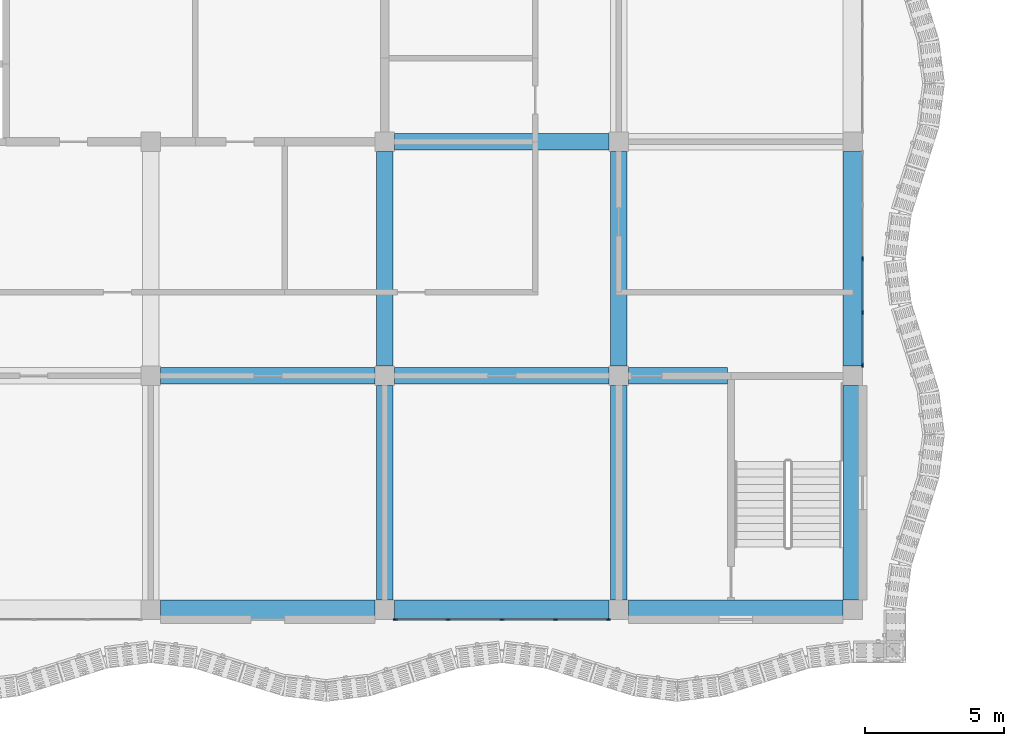
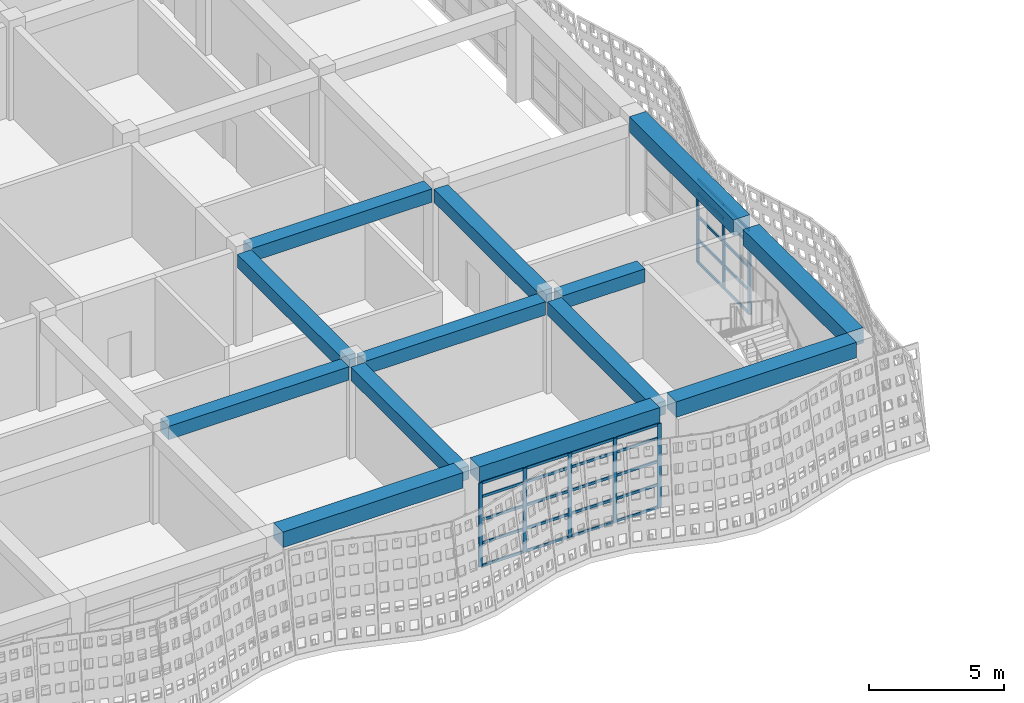
# One storey, part 19 of 162: 38 members, 13 beams, 2 elements without a shape of their own.
"""IFC4 building model written with IfcOpenShell, lengths in metres."""

from ifc_helpers import new_model, si_unit, direction, frame, origin, origin_2d, place, context, subcontext, project, spatial, rectangle, extrude, material, material_profile, profile_set, type_object, element, aggregate, save


model = new_model("IFC4")

# Units and contexts
model_context = context("Model", 3, precision=1e-05, world=origin(), true_north=direction((0.0, 1.0)))
body_context = subcontext(model_context, "Body", "Model", "MODEL_VIEW")
ifc_project = project(units=[si_unit("LENGTHUNIT", "METRE"), si_unit("AREAUNIT", "SQUARE_METRE"), si_unit("VOLUMEUNIT", "CUBIC_METRE"), si_unit("PLANEANGLEUNIT", "RADIAN"), si_unit("MASSUNIT", "GRAM", prefix="KILO")], contexts=[model_context])

# Site, building, storey
site_placement = place(None, origin())
site = spatial("IfcSite", under=ifc_project, at=site_placement, CompositionType="ELEMENT")
building_placement = place(site_placement, origin())
building = spatial("IfcBuilding", under=site, at=building_placement, Name="Rain Tree Exposition and Congress Centre", CompositionType="ELEMENT")
storey_placement = place(building_placement, frame((0.0, 0.0, 6.0)))
storey = spatial("IfcBuildingStorey", under=building, at=storey_placement, Name="L01", CompositionType="ELEMENT", Elevation=6.0)

# Beams
ifc_material_1 = material(Name="Precast concrete C50/60", Category="concrete")
ifc_material_profile_1 = material_profile(ifc_material_1, rectangle(XDim=0.60009765625, YDim=0.60009765625, at=origin_2d()), Name="RC 600x600")
ifc_profile_set_1 = profile_set([ifc_material_profile_1], Name="Precast concrete C50/60")
beam_type_1 = type_object("IfcBeamType", Name="Precast beam 600x600", PredefinedType="BEAM", material=ifc_profile_set_1)
for number, where, z_axis, x_axis, name in (
    (1, (25.550048828125, 8.39990234375, 3.85009765625), (1.0, 0.0, 0.0), (0.0, 1.0, 0.0), "wing/beam/L01/L02/019"),
    (2, (33.949951171875, 8.39990234375, 3.85009765625), (1.0, 0.0, 0.0), (0.0, 1.0, 0.0), "wing/beam/L01/L02/021"),
):
    element("IfcBeam", number, at=place(storey_placement, frame(where, z_axis=z_axis, x_axis=x_axis)), inside=storey, type_object=beam_type_1, Name=name, PredefinedType="BEAM", context=body_context, shape_type="SweptSolid", body=[
        extrude(rectangle(XDim=0.60009765625, YDim=0.60009765625, at=origin_2d()), origin(), (0.0, 0.0, 1.0), 7.699951171875),
    ])
beam_placement = place(storey_placement, frame((42.35009765625, 8.39990234375, 3.85009765625), z_axis=(1.0, 0.0, 0.0), x_axis=(0.0, 1.0, 0.0)))
element("IfcBeam", 3, at=beam_placement, inside=storey, type_object=beam_type_1, Name="wing/beam/L01/L02/023", PredefinedType="BEAM", context=body_context, shape_type="SweptSolid", body=[
    extrude(rectangle(XDim=0.60009765625, YDim=0.60009765625, at=origin_2d()), origin(), (0.0, 0.0, 1.0), 3.5498046875),
])
for number, where, z_axis, x_axis, name in (
    (4, (33.949951171875, 16.800048828125, 3.85009765625), (1.0, 0.0, 0.0), (0.0, 1.0, 0.0), "wing/beam/L01/L02/029"),
    (5, (33.60009765625, 0.35009765625, 3.85009765625), (0.0, 1.0, 0.0), (-1.0, 0.0, 0.0), "wing/beam/L01/L02/042"),
    (6, (33.60009765625, 8.75, 3.85009765625), (0.0, 1.0, 0.0), (-1.0, 0.0, 0.0), "wing/beam/L01/L02/044"),
    (7, (42.0, 0.35009765625, 3.85009765625), (0.0, 1.0, 0.0), (-1.0, 0.0, 0.0), "wing/beam/L01/L02/050"),
    (8, (42.0, 8.75, 3.85009765625), (0.0, 1.0, 0.0), (-1.0, 0.0, 0.0), "wing/beam/L01/L02/052"),
):
    element("IfcBeam", number, at=place(storey_placement, frame(where, z_axis=z_axis, x_axis=x_axis)), inside=storey, type_object=beam_type_1, Name=name, PredefinedType="BEAM", context=body_context, shape_type="SweptSolid", body=[
        extrude(rectangle(XDim=0.60009765625, YDim=0.60009765625, at=origin_2d()), origin(), (0.0, 0.0, 1.0), 7.699951171875),
    ])
ifc_material_2 = material(Name="Precast concrete C50/60", Category="concrete")
ifc_material_profile_2 = material_profile(ifc_material_2, rectangle(XDim=0.699951171875, YDim=0.699951171875, at=origin_2d()), Name="RC 700x700")
ifc_profile_set_2 = profile_set([ifc_material_profile_2], Name="Precast concrete C50/60")
beam_type_2 = type_object("IfcBeamType", Name="Precast spandrel beam 700x700", PredefinedType="SPANDREL", material=ifc_profile_set_2)
for number, where, z_axis, x_axis, name in (
    (9, (25.550048828125, 0.0, 4.14990234375), (1.0, 0.0, 0.0), (0.0, 1.0, 0.0), "wing/beam/L01/L02/007"),
    (10, (33.949951171875, 0.0, 4.14990234375), (1.0, 0.0, 0.0), (0.0, 1.0, 0.0), "wing/beam/L01/L02/009"),
    (11, (42.35009765625, 0.0, 4.14990234375), (1.0, 0.0, 0.0), (0.0, 1.0, 0.0), "wing/beam/L01/L02/011"),
    (12, (50.39990234375, 0.35009765625, 4.14990234375), (0.0, 1.0, 0.0), (-1.0, 0.0, 0.0), "wing/beam/L01/L02/062"),
    (13, (50.39990234375, 8.75, 4.14990234375), (0.0, 1.0, 0.0), (-1.0, 0.0, 0.0), "wing/beam/L01/L02/064"),
):
    element("IfcBeam", number, at=place(storey_placement, frame(where, z_axis=z_axis, x_axis=x_axis)), inside=storey, type_object=beam_type_2, Name=name, PredefinedType="SPANDREL", context=body_context, shape_type="SweptSolid", body=[
        extrude(rectangle(XDim=0.699951171875, YDim=0.699951171875, at=origin_2d()), origin(), (0.0, 0.0, 1.0), 7.699951171875),
    ])

# Curtain wall, members
ifc_material_3 = material(Name="Aluminium curtain wall", Category="aluminium")
curtain_wall_type = type_object("IfcCurtainWallType", Name="Wing curtain wall 1925", PredefinedType="NOTDEFINED", material=ifc_material_3)
curtain_wall_1_placement = place(storey_placement, origin())
curtain_wall_1 = element("IfcCurtainWall", 14, at=curtain_wall_1_placement, inside=storey, type_object=curtain_wall_type, Name="Curtain wall CWW203", PredefinedType="NOTDEFINED")
ifc_material_4 = material(Name="Aluminium", Category="aluminium")
ifc_material_profile_3 = material_profile(ifc_material_4, rectangle(XDim=0.06005859375, YDim=0.159912109375, at=origin_2d()), Name="Aluminium 60x160")
ifc_profile_set_3 = profile_set([ifc_material_profile_3], Name="Aluminium")
member_type_1 = type_object("IfcMemberType", Name="Wing mullion 60x160", PredefinedType="MULLION", material=ifc_profile_set_3)
member_1_placement = place(storey_placement, frame((33.97998046875, -0.35009765625, 0.0), z_axis=(0.0, 0.0, 1.0), x_axis=(0.0, 1.0, 0.0)))
member_1 = element("IfcMember", 15, at=member_1_placement, type_object=member_type_1, Name="CWW203 mullion 1", PredefinedType="MULLION", context=body_context, shape_type="SweptSolid", body=[
    extrude(rectangle(XDim=0.06005859375, YDim=0.159912109375, at=origin_2d()), origin(), (0.0, 0.0, 1.0), 3.800048828125),
])
member_2_placement = place(storey_placement, frame((35.875, -0.35009765625, 0.0), z_axis=(0.0, 0.0, 1.0), x_axis=(0.0, 1.0, 0.0)))
member_2 = element("IfcMember", 16, at=member_2_placement, type_object=member_type_1, Name="CWW203 mullion 2", PredefinedType="MULLION", context=body_context, shape_type="SweptSolid", body=[
    extrude(rectangle(XDim=0.06005859375, YDim=0.159912109375, at=origin_2d()), origin(), (0.0, 0.0, 1.0), 3.800048828125),
])
member_3_placement = place(storey_placement, frame((37.800048828125, -0.35009765625, 0.0), z_axis=(0.0, 0.0, 1.0), x_axis=(0.0, 1.0, 0.0)))
member_3 = element("IfcMember", 17, at=member_3_placement, type_object=member_type_1, Name="CWW203 mullion 3", PredefinedType="MULLION", context=body_context, shape_type="SweptSolid", body=[
    extrude(rectangle(XDim=0.06005859375, YDim=0.159912109375, at=origin_2d()), origin(), (0.0, 0.0, 1.0), 3.800048828125),
])
member_4_placement = place(storey_placement, frame((39.72509765625, -0.35009765625, 0.0), z_axis=(0.0, 0.0, 1.0), x_axis=(0.0, 1.0, 0.0)))
member_4 = element("IfcMember", 18, at=member_4_placement, type_object=member_type_1, Name="CWW203 mullion 4", PredefinedType="MULLION", context=body_context, shape_type="SweptSolid", body=[
    extrude(rectangle(XDim=0.06005859375, YDim=0.159912109375, at=origin_2d()), origin(), (0.0, 0.0, 1.0), 3.800048828125),
])
member_5_placement = place(storey_placement, frame((41.6201171875, -0.35009765625, 0.0), z_axis=(0.0, 0.0, 1.0), x_axis=(0.0, 1.0, 0.0)))
member_5 = element("IfcMember", 19, at=member_5_placement, type_object=member_type_1, Name="CWW203 mullion 5", PredefinedType="MULLION", context=body_context, shape_type="SweptSolid", body=[
    extrude(rectangle(XDim=0.06005859375, YDim=0.159912109375, at=origin_2d()), origin(), (0.0, 0.0, 1.0), 3.800048828125),
])

curtain_wall_2_placement = place(storey_placement, origin())
curtain_wall_2 = element("IfcCurtainWall", 20, at=curtain_wall_2_placement, inside=storey, type_object=curtain_wall_type, Name="Curtain wall CWW212", PredefinedType="NOTDEFINED")
member_6_placement = place(storey_placement, frame((50.75, 8.780029296875, 0.0), z_axis=(0.0, 0.0, 1.0), x_axis=(-1.0, 0.0, 0.0)))
member_6 = element("IfcMember", 21, at=member_6_placement, type_object=member_type_1, Name="CWW212 mullion 1", PredefinedType="MULLION", context=body_context, shape_type="SweptSolid", body=[
    extrude(rectangle(XDim=0.06005859375, YDim=0.159912109375, at=origin_2d()), origin(), (0.0, 0.0, 1.0), 3.800048828125),
])
member_7_placement = place(storey_placement, frame((50.75, 10.675048828125, 0.0), z_axis=(0.0, 0.0, 1.0), x_axis=(-1.0, 0.0, 0.0)))
member_7 = element("IfcMember", 22, at=member_7_placement, type_object=member_type_1, Name="CWW212 mullion 2", PredefinedType="MULLION", context=body_context, shape_type="SweptSolid", body=[
    extrude(rectangle(XDim=0.06005859375, YDim=0.159912109375, at=origin_2d()), origin(), (0.0, 0.0, 1.0), 3.800048828125),
])
member_8_placement = place(storey_placement, frame((50.75, 12.60009765625, 0.0), z_axis=(0.0, 0.0, 1.0), x_axis=(-1.0, 0.0, 0.0)))
member_8 = element("IfcMember", 23, at=member_8_placement, type_object=member_type_1, Name="CWW212 mullion 3", PredefinedType="MULLION", context=body_context, shape_type="SweptSolid", body=[
    extrude(rectangle(XDim=0.06005859375, YDim=0.159912109375, at=origin_2d()), origin(), (0.0, 0.0, 1.0), 3.800048828125),
])

# Member
ifc_material_5 = material(Name="Aluminium", Category="aluminium")
ifc_material_profile_4 = material_profile(ifc_material_5, rectangle(XDim=0.06005859375, YDim=0.1201171875, at=origin_2d()), Name="Aluminium 60x120")
ifc_profile_set_4 = profile_set([ifc_material_profile_4], Name="Aluminium")
member_type_2 = type_object("IfcMemberType", Name="Wing transom 60x120", PredefinedType="USERDEFINED", material=ifc_profile_set_4)
member_9_placement = place(storey_placement, frame((34.010009765625, -0.35009765625, 0.030029296875), z_axis=(1.0, 0.0, 0.0), x_axis=(0.0, 1.0, 0.0)))
member_9 = element("IfcMember", 24, at=member_9_placement, type_object=member_type_2, Name="CWW203 transom 1.1", ObjectType="TRANSOM", PredefinedType="USERDEFINED", context=body_context, shape_type="SweptSolid", body=[
    extrude(rectangle(XDim=0.06005859375, YDim=0.1201171875, at=origin_2d()), origin(), (0.0, 0.0, 1.0), 1.8349609375),
])

member_10_placement = place(storey_placement, frame((34.010009765625, -0.35009765625, 1.050048828125), z_axis=(1.0, 0.0, 0.0), x_axis=(0.0, 1.0, 0.0)))
member_10 = element("IfcMember", 25, at=member_10_placement, type_object=member_type_2, Name="CWW203 transom 1.2", ObjectType="TRANSOM", PredefinedType="USERDEFINED", context=body_context, shape_type="SweptSolid", body=[
    extrude(rectangle(XDim=0.06005859375, YDim=0.1201171875, at=origin_2d()), origin(), (0.0, 0.0, 1.0), 1.8349609375),
])

member_11_placement = place(storey_placement, frame((34.010009765625, -0.35009765625, 2.10009765625), z_axis=(1.0, 0.0, 0.0), x_axis=(0.0, 1.0, 0.0)))
member_11 = element("IfcMember", 26, at=member_11_placement, type_object=member_type_2, Name="CWW203 transom 1.3", ObjectType="TRANSOM", PredefinedType="USERDEFINED", context=body_context, shape_type="SweptSolid", body=[
    extrude(rectangle(XDim=0.06005859375, YDim=0.1201171875, at=origin_2d()), origin(), (0.0, 0.0, 1.0), 1.8349609375),
])

member_12_placement = place(storey_placement, frame((34.010009765625, -0.35009765625, 3.14990234375), z_axis=(1.0, 0.0, 0.0), x_axis=(0.0, 1.0, 0.0)))
member_12 = element("IfcMember", 27, at=member_12_placement, type_object=member_type_2, Name="CWW203 transom 1.4", ObjectType="TRANSOM", PredefinedType="USERDEFINED", context=body_context, shape_type="SweptSolid", body=[
    extrude(rectangle(XDim=0.06005859375, YDim=0.1201171875, at=origin_2d()), origin(), (0.0, 0.0, 1.0), 1.8349609375),
])

member_13_placement = place(storey_placement, frame((34.010009765625, -0.35009765625, 3.77001953125), z_axis=(1.0, 0.0, 0.0), x_axis=(0.0, 1.0, 0.0)))
member_13 = element("IfcMember", 28, at=member_13_placement, type_object=member_type_2, Name="CWW203 transom 1.5", ObjectType="TRANSOM", PredefinedType="USERDEFINED", context=body_context, shape_type="SweptSolid", body=[
    extrude(rectangle(XDim=0.06005859375, YDim=0.1201171875, at=origin_2d()), origin(), (0.0, 0.0, 1.0), 1.8349609375),
])

member_14_placement = place(storey_placement, frame((35.905029296875, -0.35009765625, 0.030029296875), z_axis=(1.0, 0.0, 0.0), x_axis=(0.0, 1.0, 0.0)))
member_14 = element("IfcMember", 29, at=member_14_placement, type_object=member_type_2, Name="CWW203 transom 2.1", ObjectType="TRANSOM", PredefinedType="USERDEFINED", context=body_context, shape_type="SweptSolid", body=[
    extrude(rectangle(XDim=0.06005859375, YDim=0.1201171875, at=origin_2d()), origin(), (0.0, 0.0, 1.0), 1.864990234375),
])

member_15_placement = place(storey_placement, frame((35.905029296875, -0.35009765625, 1.050048828125), z_axis=(1.0, 0.0, 0.0), x_axis=(0.0, 1.0, 0.0)))
member_15 = element("IfcMember", 30, at=member_15_placement, type_object=member_type_2, Name="CWW203 transom 2.2", ObjectType="TRANSOM", PredefinedType="USERDEFINED", context=body_context, shape_type="SweptSolid", body=[
    extrude(rectangle(XDim=0.06005859375, YDim=0.1201171875, at=origin_2d()), origin(), (0.0, 0.0, 1.0), 1.864990234375),
])

member_16_placement = place(storey_placement, frame((35.905029296875, -0.35009765625, 2.10009765625), z_axis=(1.0, 0.0, 0.0), x_axis=(0.0, 1.0, 0.0)))
member_16 = element("IfcMember", 31, at=member_16_placement, type_object=member_type_2, Name="CWW203 transom 2.3", ObjectType="TRANSOM", PredefinedType="USERDEFINED", context=body_context, shape_type="SweptSolid", body=[
    extrude(rectangle(XDim=0.06005859375, YDim=0.1201171875, at=origin_2d()), origin(), (0.0, 0.0, 1.0), 1.864990234375),
])

member_17_placement = place(storey_placement, frame((35.905029296875, -0.35009765625, 3.14990234375), z_axis=(1.0, 0.0, 0.0), x_axis=(0.0, 1.0, 0.0)))
member_17 = element("IfcMember", 32, at=member_17_placement, type_object=member_type_2, Name="CWW203 transom 2.4", ObjectType="TRANSOM", PredefinedType="USERDEFINED", context=body_context, shape_type="SweptSolid", body=[
    extrude(rectangle(XDim=0.06005859375, YDim=0.1201171875, at=origin_2d()), origin(), (0.0, 0.0, 1.0), 1.864990234375),
])

member_18_placement = place(storey_placement, frame((35.905029296875, -0.35009765625, 3.77001953125), z_axis=(1.0, 0.0, 0.0), x_axis=(0.0, 1.0, 0.0)))
member_18 = element("IfcMember", 33, at=member_18_placement, type_object=member_type_2, Name="CWW203 transom 2.5", ObjectType="TRANSOM", PredefinedType="USERDEFINED", context=body_context, shape_type="SweptSolid", body=[
    extrude(rectangle(XDim=0.06005859375, YDim=0.1201171875, at=origin_2d()), origin(), (0.0, 0.0, 1.0), 1.864990234375),
])

member_19_placement = place(storey_placement, frame((37.830078125, -0.35009765625, 0.030029296875), z_axis=(1.0, 0.0, 0.0), x_axis=(0.0, 1.0, 0.0)))
member_19 = element("IfcMember", 34, at=member_19_placement, type_object=member_type_2, Name="CWW203 transom 3.1", ObjectType="TRANSOM", PredefinedType="USERDEFINED", context=body_context, shape_type="SweptSolid", body=[
    extrude(rectangle(XDim=0.06005859375, YDim=0.1201171875, at=origin_2d()), origin(), (0.0, 0.0, 1.0), 1.864990234375),
])

member_20_placement = place(storey_placement, frame((37.830078125, -0.35009765625, 1.050048828125), z_axis=(1.0, 0.0, 0.0), x_axis=(0.0, 1.0, 0.0)))
member_20 = element("IfcMember", 35, at=member_20_placement, type_object=member_type_2, Name="CWW203 transom 3.2", ObjectType="TRANSOM", PredefinedType="USERDEFINED", context=body_context, shape_type="SweptSolid", body=[
    extrude(rectangle(XDim=0.06005859375, YDim=0.1201171875, at=origin_2d()), origin(), (0.0, 0.0, 1.0), 1.864990234375),
])

member_21_placement = place(storey_placement, frame((37.830078125, -0.35009765625, 2.10009765625), z_axis=(1.0, 0.0, 0.0), x_axis=(0.0, 1.0, 0.0)))
member_21 = element("IfcMember", 36, at=member_21_placement, type_object=member_type_2, Name="CWW203 transom 3.3", ObjectType="TRANSOM", PredefinedType="USERDEFINED", context=body_context, shape_type="SweptSolid", body=[
    extrude(rectangle(XDim=0.06005859375, YDim=0.1201171875, at=origin_2d()), origin(), (0.0, 0.0, 1.0), 1.864990234375),
])

member_22_placement = place(storey_placement, frame((37.830078125, -0.35009765625, 3.14990234375), z_axis=(1.0, 0.0, 0.0), x_axis=(0.0, 1.0, 0.0)))
member_22 = element("IfcMember", 37, at=member_22_placement, type_object=member_type_2, Name="CWW203 transom 3.4", ObjectType="TRANSOM", PredefinedType="USERDEFINED", context=body_context, shape_type="SweptSolid", body=[
    extrude(rectangle(XDim=0.06005859375, YDim=0.1201171875, at=origin_2d()), origin(), (0.0, 0.0, 1.0), 1.864990234375),
])

member_23_placement = place(storey_placement, frame((37.830078125, -0.35009765625, 3.77001953125), z_axis=(1.0, 0.0, 0.0), x_axis=(0.0, 1.0, 0.0)))
member_23 = element("IfcMember", 38, at=member_23_placement, type_object=member_type_2, Name="CWW203 transom 3.5", ObjectType="TRANSOM", PredefinedType="USERDEFINED", context=body_context, shape_type="SweptSolid", body=[
    extrude(rectangle(XDim=0.06005859375, YDim=0.1201171875, at=origin_2d()), origin(), (0.0, 0.0, 1.0), 1.864990234375),
])

member_24_placement = place(storey_placement, frame((39.7548828125, -0.35009765625, 0.030029296875), z_axis=(1.0, 0.0, 0.0), x_axis=(0.0, 1.0, 0.0)))
member_24 = element("IfcMember", 39, at=member_24_placement, type_object=member_type_2, Name="CWW203 transom 4.1", ObjectType="TRANSOM", PredefinedType="USERDEFINED", context=body_context, shape_type="SweptSolid", body=[
    extrude(rectangle(XDim=0.06005859375, YDim=0.1201171875, at=origin_2d()), origin(), (0.0, 0.0, 1.0), 1.835205078125),
])

member_25_placement = place(storey_placement, frame((39.7548828125, -0.35009765625, 1.050048828125), z_axis=(1.0, 0.0, 0.0), x_axis=(0.0, 1.0, 0.0)))
member_25 = element("IfcMember", 40, at=member_25_placement, type_object=member_type_2, Name="CWW203 transom 4.2", ObjectType="TRANSOM", PredefinedType="USERDEFINED", context=body_context, shape_type="SweptSolid", body=[
    extrude(rectangle(XDim=0.06005859375, YDim=0.1201171875, at=origin_2d()), origin(), (0.0, 0.0, 1.0), 1.835205078125),
])

member_26_placement = place(storey_placement, frame((39.7548828125, -0.35009765625, 2.10009765625), z_axis=(1.0, 0.0, 0.0), x_axis=(0.0, 1.0, 0.0)))
member_26 = element("IfcMember", 41, at=member_26_placement, type_object=member_type_2, Name="CWW203 transom 4.3", ObjectType="TRANSOM", PredefinedType="USERDEFINED", context=body_context, shape_type="SweptSolid", body=[
    extrude(rectangle(XDim=0.06005859375, YDim=0.1201171875, at=origin_2d()), origin(), (0.0, 0.0, 1.0), 1.835205078125),
])

member_27_placement = place(storey_placement, frame((39.7548828125, -0.35009765625, 3.14990234375), z_axis=(1.0, 0.0, 0.0), x_axis=(0.0, 1.0, 0.0)))
member_27 = element("IfcMember", 42, at=member_27_placement, type_object=member_type_2, Name="CWW203 transom 4.4", ObjectType="TRANSOM", PredefinedType="USERDEFINED", context=body_context, shape_type="SweptSolid", body=[
    extrude(rectangle(XDim=0.06005859375, YDim=0.1201171875, at=origin_2d()), origin(), (0.0, 0.0, 1.0), 1.835205078125),
])

member_28_placement = place(storey_placement, frame((39.7548828125, -0.35009765625, 3.77001953125), z_axis=(1.0, 0.0, 0.0), x_axis=(0.0, 1.0, 0.0)))
member_28 = element("IfcMember", 43, at=member_28_placement, type_object=member_type_2, Name="CWW203 transom 4.5", ObjectType="TRANSOM", PredefinedType="USERDEFINED", context=body_context, shape_type="SweptSolid", body=[
    extrude(rectangle(XDim=0.06005859375, YDim=0.1201171875, at=origin_2d()), origin(), (0.0, 0.0, 1.0), 1.835205078125),
])

aggregate(curtain_wall_1, [member_1, member_2, member_3, member_4, member_5, member_9, member_10, member_11, member_12, member_13, member_14, member_15, member_16, member_17, member_18, member_19, member_20, member_21, member_22, member_23, member_24, member_25, member_26, member_27, member_28])

member_29_placement = place(storey_placement, frame((50.75, 8.81005859375, 0.030029296875), z_axis=(0.0, 1.0, 0.0), x_axis=(-1.0, 0.0, 0.0)))
member_29 = element("IfcMember", 44, at=member_29_placement, type_object=member_type_2, Name="CWW212 transom 1.1", ObjectType="TRANSOM", PredefinedType="USERDEFINED", context=body_context, shape_type="SweptSolid", body=[
    extrude(rectangle(XDim=0.06005859375, YDim=0.1201171875, at=origin_2d()), origin(), (0.0, 0.0, 1.0), 1.8349609375),
])

member_30_placement = place(storey_placement, frame((50.75, 8.81005859375, 1.050048828125), z_axis=(0.0, 1.0, 0.0), x_axis=(-1.0, 0.0, 0.0)))
member_30 = element("IfcMember", 45, at=member_30_placement, type_object=member_type_2, Name="CWW212 transom 1.2", ObjectType="TRANSOM", PredefinedType="USERDEFINED", context=body_context, shape_type="SweptSolid", body=[
    extrude(rectangle(XDim=0.06005859375, YDim=0.1201171875, at=origin_2d()), origin(), (0.0, 0.0, 1.0), 1.8349609375),
])

member_31_placement = place(storey_placement, frame((50.75, 8.81005859375, 2.10009765625), z_axis=(0.0, 1.0, 0.0), x_axis=(-1.0, 0.0, 0.0)))
member_31 = element("IfcMember", 46, at=member_31_placement, type_object=member_type_2, Name="CWW212 transom 1.3", ObjectType="TRANSOM", PredefinedType="USERDEFINED", context=body_context, shape_type="SweptSolid", body=[
    extrude(rectangle(XDim=0.06005859375, YDim=0.1201171875, at=origin_2d()), origin(), (0.0, 0.0, 1.0), 1.8349609375),
])

member_32_placement = place(storey_placement, frame((50.75, 8.81005859375, 3.14990234375), z_axis=(0.0, 1.0, 0.0), x_axis=(-1.0, 0.0, 0.0)))
member_32 = element("IfcMember", 47, at=member_32_placement, type_object=member_type_2, Name="CWW212 transom 1.4", ObjectType="TRANSOM", PredefinedType="USERDEFINED", context=body_context, shape_type="SweptSolid", body=[
    extrude(rectangle(XDim=0.06005859375, YDim=0.1201171875, at=origin_2d()), origin(), (0.0, 0.0, 1.0), 1.8349609375),
])

member_33_placement = place(storey_placement, frame((50.75, 8.81005859375, 3.77001953125), z_axis=(0.0, 1.0, 0.0), x_axis=(-1.0, 0.0, 0.0)))
member_33 = element("IfcMember", 48, at=member_33_placement, type_object=member_type_2, Name="CWW212 transom 1.5", ObjectType="TRANSOM", PredefinedType="USERDEFINED", context=body_context, shape_type="SweptSolid", body=[
    extrude(rectangle(XDim=0.06005859375, YDim=0.1201171875, at=origin_2d()), origin(), (0.0, 0.0, 1.0), 1.8349609375),
])

member_34_placement = place(storey_placement, frame((50.75, 10.705078125, 0.030029296875), z_axis=(0.0, 1.0, 0.0), x_axis=(-1.0, 0.0, 0.0)))
member_34 = element("IfcMember", 49, at=member_34_placement, type_object=member_type_2, Name="CWW212 transom 2.1", ObjectType="TRANSOM", PredefinedType="USERDEFINED", context=body_context, shape_type="SweptSolid", body=[
    extrude(rectangle(XDim=0.06005859375, YDim=0.1201171875, at=origin_2d()), origin(), (0.0, 0.0, 1.0), 1.864990234375),
])

member_35_placement = place(storey_placement, frame((50.75, 10.705078125, 1.050048828125), z_axis=(0.0, 1.0, 0.0), x_axis=(-1.0, 0.0, 0.0)))
member_35 = element("IfcMember", 50, at=member_35_placement, type_object=member_type_2, Name="CWW212 transom 2.2", ObjectType="TRANSOM", PredefinedType="USERDEFINED", context=body_context, shape_type="SweptSolid", body=[
    extrude(rectangle(XDim=0.06005859375, YDim=0.1201171875, at=origin_2d()), origin(), (0.0, 0.0, 1.0), 1.864990234375),
])

member_36_placement = place(storey_placement, frame((50.75, 10.705078125, 2.10009765625), z_axis=(0.0, 1.0, 0.0), x_axis=(-1.0, 0.0, 0.0)))
member_36 = element("IfcMember", 51, at=member_36_placement, type_object=member_type_2, Name="CWW212 transom 2.3", ObjectType="TRANSOM", PredefinedType="USERDEFINED", context=body_context, shape_type="SweptSolid", body=[
    extrude(rectangle(XDim=0.06005859375, YDim=0.1201171875, at=origin_2d()), origin(), (0.0, 0.0, 1.0), 1.864990234375),
])

member_37_placement = place(storey_placement, frame((50.75, 10.705078125, 3.14990234375), z_axis=(0.0, 1.0, 0.0), x_axis=(-1.0, 0.0, 0.0)))
member_37 = element("IfcMember", 52, at=member_37_placement, type_object=member_type_2, Name="CWW212 transom 2.4", ObjectType="TRANSOM", PredefinedType="USERDEFINED", context=body_context, shape_type="SweptSolid", body=[
    extrude(rectangle(XDim=0.06005859375, YDim=0.1201171875, at=origin_2d()), origin(), (0.0, 0.0, 1.0), 1.864990234375),
])

member_38_placement = place(storey_placement, frame((50.75, 10.705078125, 3.77001953125), z_axis=(0.0, 1.0, 0.0), x_axis=(-1.0, 0.0, 0.0)))
member_38 = element("IfcMember", 53, at=member_38_placement, type_object=member_type_2, Name="CWW212 transom 2.5", ObjectType="TRANSOM", PredefinedType="USERDEFINED", context=body_context, shape_type="SweptSolid", body=[
    extrude(rectangle(XDim=0.06005859375, YDim=0.1201171875, at=origin_2d()), origin(), (0.0, 0.0, 1.0), 1.864990234375),
])

aggregate(curtain_wall_2, [member_6, member_7, member_8, member_29, member_30, member_31, member_32, member_33, member_34, member_35, member_36, member_37, member_38])

save(model, "model.ifc")
